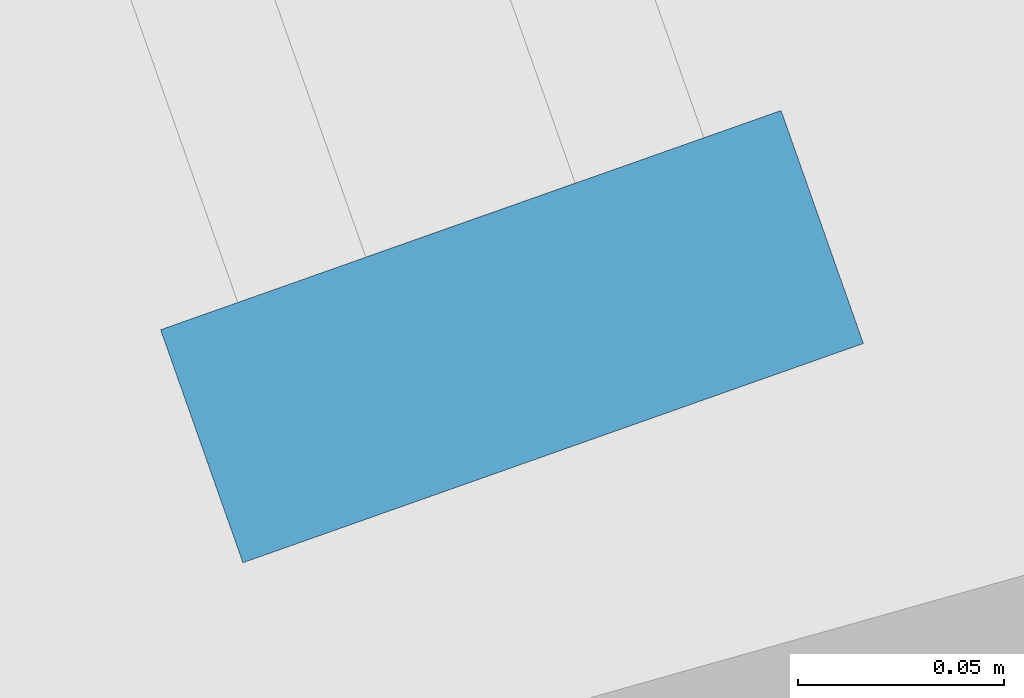
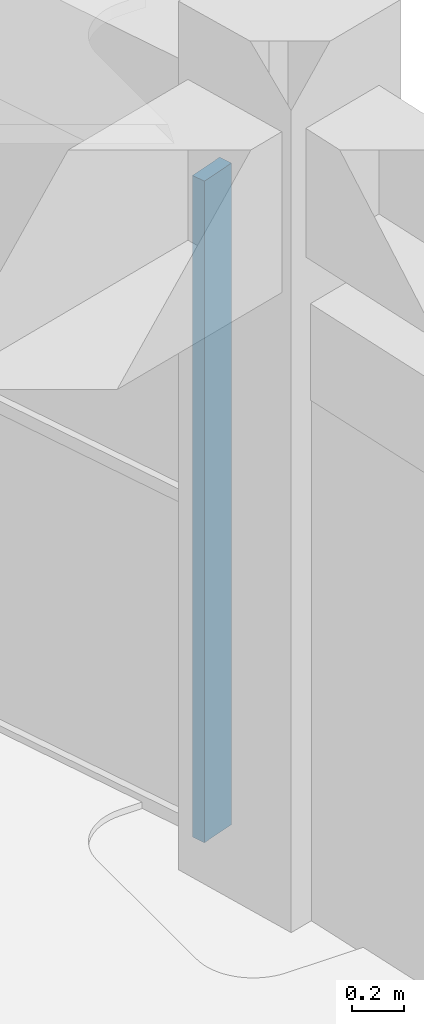
# One storey, part 28 of 72: 1 member, 1 element without a shape of its own.
"""IFC4 building model written with IfcOpenShell, lengths in metres."""

from ifc_helpers import new_model, si_unit, direction, frame, origin, origin_2d, place, context, subcontext, project, spatial, rectangle, extrude, material, material_profile, profile_set, type_object, element, aggregate, save


model = new_model("IFC4")

# Units and contexts
model_context = context("Model", 3, precision=1e-05, world=origin(), true_north=direction((0.0, 1.0)))
body_context = subcontext(model_context, "Body", "Model", "MODEL_VIEW")
ifc_project = project(units=[si_unit("LENGTHUNIT", "METRE"), si_unit("AREAUNIT", "SQUARE_METRE"), si_unit("VOLUMEUNIT", "CUBIC_METRE"), si_unit("PLANEANGLEUNIT", "RADIAN"), si_unit("MASSUNIT", "GRAM", prefix="KILO")], contexts=[model_context])

# Site, building, storey
site_placement = place(None, origin())
site = spatial("IfcSite", under=ifc_project, at=site_placement, CompositionType="ELEMENT")
building_placement = place(site_placement, origin())
building = spatial("IfcBuilding", under=site, at=building_placement, Name="Saryqyr Civic Hall", CompositionType="ELEMENT")
storey_placement = place(building_placement, frame((0.0, 0.0, 17.25)))
storey = spatial("IfcBuildingStorey", under=building, at=storey_placement, Name="L04", CompositionType="ELEMENT", Elevation=17.25)

# Curtain wall, member
ifc_material_1 = material(Name="Anodised aluminium and triple low-E glass", Category="aluminium")
curtain_wall_type = type_object("IfcCurtainWallType", Name="ENV-CW-STD-14", PredefinedType="NOTDEFINED", material=ifc_material_1)
curtain_wall_placement = place(storey_placement, origin())
curtain_wall = element("IfcCurtainWall", 1, at=curtain_wall_placement, inside=storey, type_object=curtain_wall_type, Name="Curtain wall V6-CWO-L04-02", PredefinedType="NOTDEFINED")
ifc_material_2 = material(Name="Anodised aluminium", Category="aluminium")
ifc_material_profile = material_profile(ifc_material_2, rectangle(XDim=0.06005859375, YDim=0.159912109375, at=origin_2d()), Name="ALU MULLION 60x160")
ifc_profile_set = profile_set([ifc_material_profile], Name="Anodised aluminium")
member_type = type_object("IfcMemberType", Name="ENV-CW-MUL-180", PredefinedType="MULLION", material=ifc_profile_set)
member_placement = place(storey_placement, frame((104.02783203125, 97.677001953125, 0.0), z_axis=(0.0, 0.0, 1.0), x_axis=(0.33318018147, -0.942863174949, 0.0)))
member = element("IfcMember", 2, at=member_placement, type_object=member_type, Name="CW-14 mullion 3", PredefinedType="MULLION", context=body_context, shape_type="SweptSolid", body=[
    extrude(rectangle(XDim=0.06005859375, YDim=0.159912109375, at=origin_2d()), origin(), (0.0, 0.0, 1.0), 3.0849609375),
])
aggregate(curtain_wall, [member])

save(model, "model.ifc")
